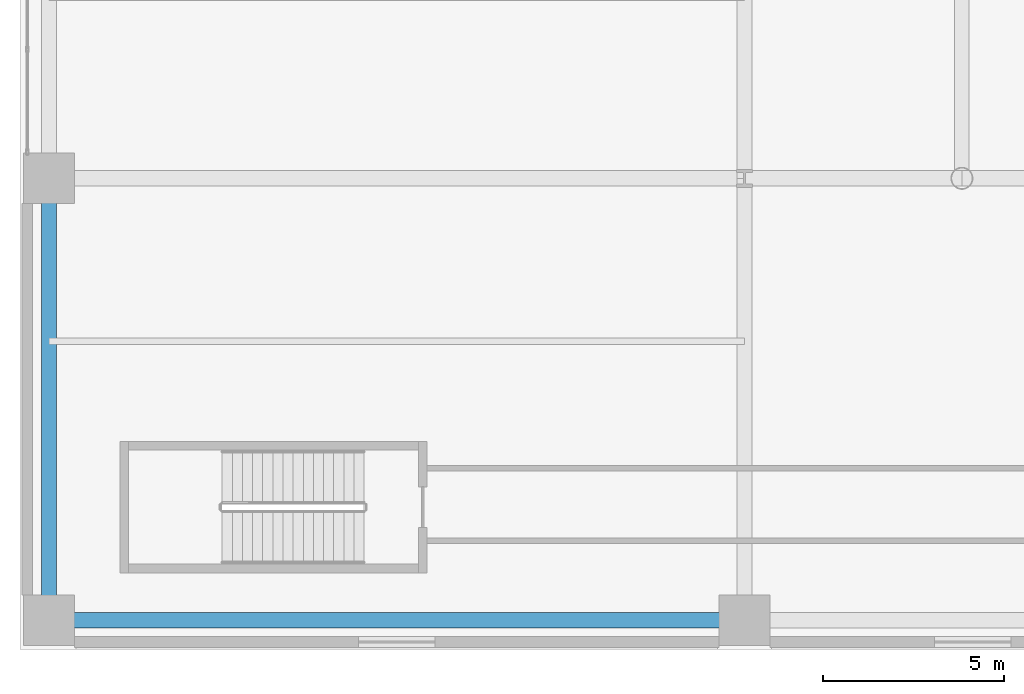
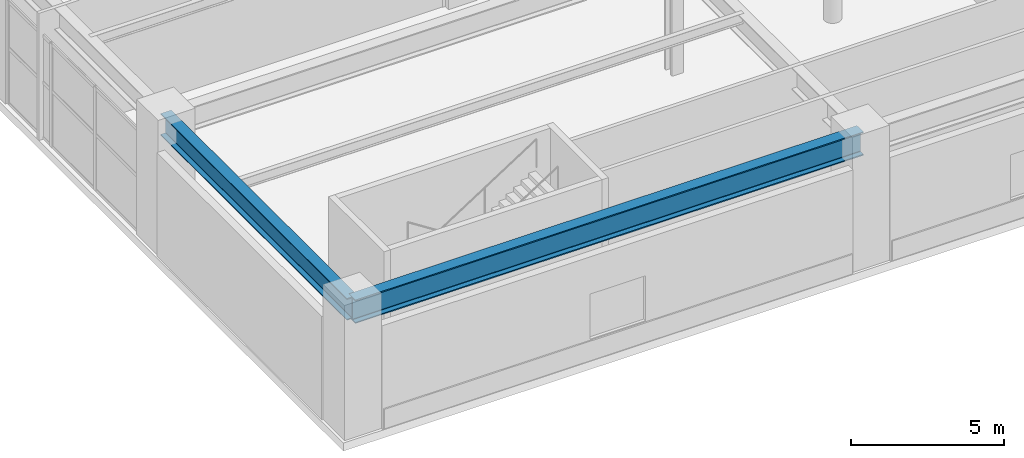
# One storey, part 4 of 28: 2 beams.
"""IFC4 building model written with IfcOpenShell, lengths in metres."""

from ifc_helpers import new_model, si_unit, direction, frame, origin, origin_2d, place, context, subcontext, project, spatial, i_section, extrude, material, material_profile, profile_set, type_object, element, save


model = new_model("IFC4")

# Units and contexts
model_context = context("Model", 3, precision=1e-05, world=origin(), true_north=direction((0.0, 1.0)))
body_context = subcontext(model_context, "Body", "Model", "MODEL_VIEW")
ifc_project = project(units=[si_unit("LENGTHUNIT", "METRE"), si_unit("AREAUNIT", "SQUARE_METRE"), si_unit("VOLUMEUNIT", "CUBIC_METRE"), si_unit("PLANEANGLEUNIT", "RADIAN"), si_unit("MASSUNIT", "GRAM", prefix="KILO")], contexts=[model_context])

# Site, building, storey
site_placement = place(None, origin())
site = spatial("IfcSite", under=ifc_project, at=site_placement, CompositionType="ELEMENT")
building_placement = place(site_placement, origin())
building = spatial("IfcBuilding", under=site, at=building_placement, Name="Soratama Intermodal Tower", CompositionType="ELEMENT")
storey_placement = place(building_placement, frame((0.0, 0.0, 6.0)))
storey = spatial("IfcBuildingStorey", under=building, at=storey_placement, Name="L01", CompositionType="ELEMENT", Elevation=6.0)

# Beams
ifc_material_1 = material(Name="Structural steel ASTM A992 Grade 50", Category="steel")
ifc_material_profile_1 = material_profile(ifc_material_1, i_section(OverallWidth=0.403076171875, OverallDepth=0.867919921875, WebThickness=0.02099609375, FlangeThickness=0.03564453125, FilletRadius=0.01806640625, at=origin_2d()), Name="W33X241")
ifc_profile_set_1 = profile_set([ifc_material_profile_1], Name="Structural steel ASTM A992 Grade 50")
beam_type_1 = type_object("IfcBeamType", Name="BM-POD-EXT-W33", PredefinedType="BEAM", material=ifc_profile_set_1)
beam_1_placement = place(storey_placement, frame((0.800048828125, 2.800048828125, 4.64599609375), z_axis=(0.0, 1.0, 0.0), x_axis=(-1.0, 0.0, 0.0)))
element("IfcBeam", 1, at=beam_1_placement, inside=storey, type_object=beam_type_1, Name="L01 Station Girder Y1-1", PredefinedType="BEAM", context=body_context, shape_type="SweptSolid", body=[
    extrude(i_section(OverallWidth=0.403076171875, OverallDepth=0.867919921875, WebThickness=0.02099609375, FlangeThickness=0.03564453125, FilletRadius=0.01806640625, at=origin_2d()), origin(), (0.0, 0.0, 1.0), 12.199951171875),
])
ifc_material_2 = material(Name="Structural steel ASTM A992 Grade 50", Category="steel")
ifc_material_profile_2 = material_profile(ifc_material_2, i_section(OverallWidth=0.423095703125, OverallDepth=0.93896484375, WebThickness=0.02392578125, FlangeThickness=0.042724609375, FilletRadius=0.02392578125, at=origin_2d()), Name="W36X302")
ifc_profile_set_2 = profile_set([ifc_material_profile_2], Name="Structural steel ASTM A992 Grade 50")
beam_type_2 = type_object("IfcBeamType", Name="BM-POD-EXT-W36", PredefinedType="BEAM", material=ifc_profile_set_2)
beam_2_placement = place(storey_placement, frame((0.800048828125, 2.800048828125, 4.610595703125), z_axis=(1.0, 0.0, 0.0), x_axis=(0.0, 1.0, 0.0)))
element("IfcBeam", 2, at=beam_2_placement, inside=storey, type_object=beam_type_2, Name="L01 Station Girder X1-1", PredefinedType="BEAM", context=body_context, shape_type="SweptSolid", body=[
    extrude(i_section(OverallWidth=0.423095703125, OverallDepth=0.93896484375, WebThickness=0.02392578125, FlangeThickness=0.042724609375, FilletRadius=0.02392578125, at=origin_2d()), origin(), (0.0, 0.0, 1.0), 19.199951171875),
])

save(model, "model.ifc")
